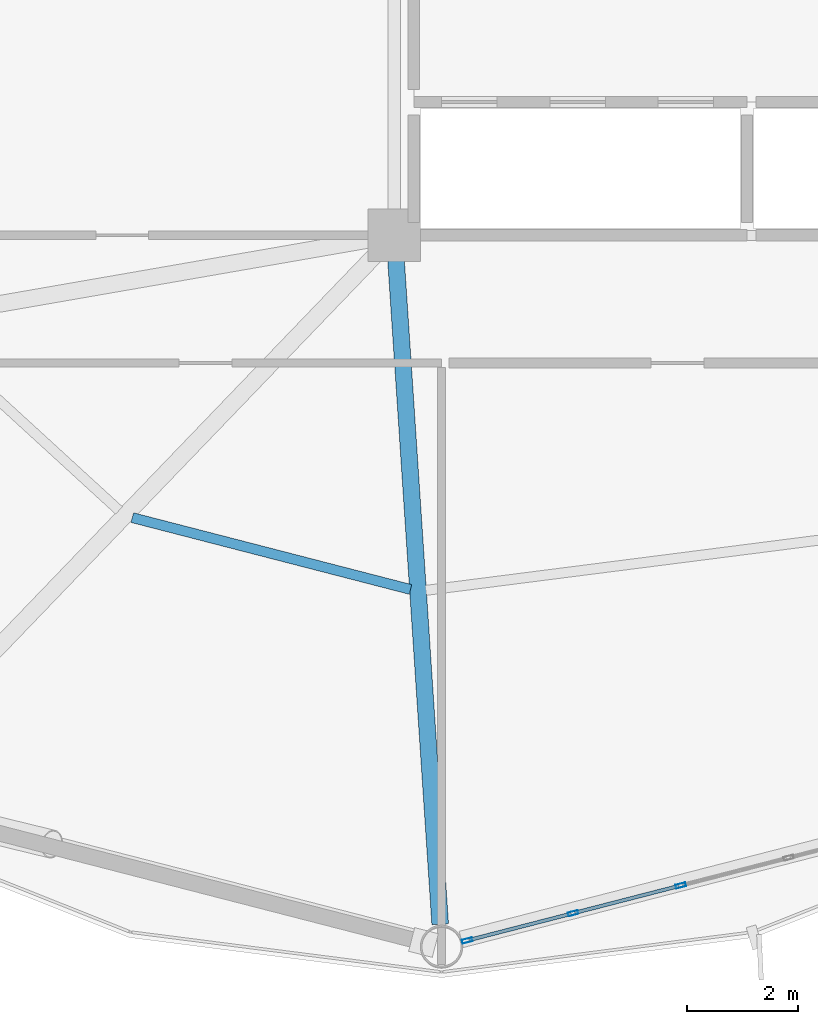
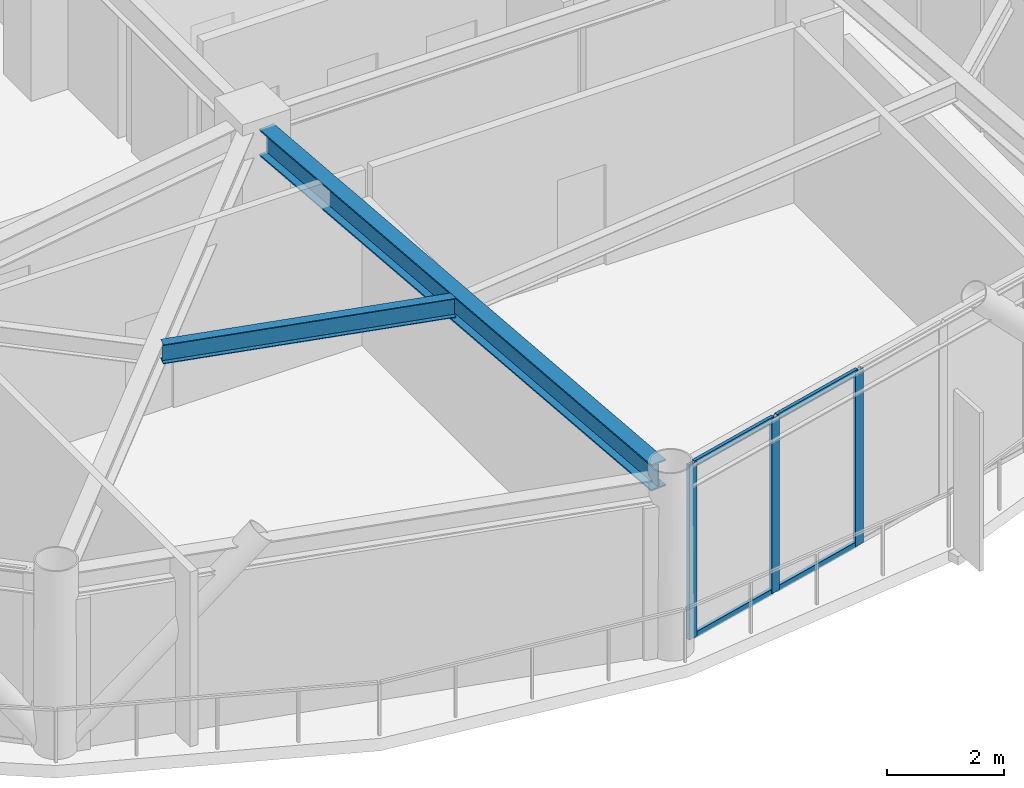
# One storey, part 6 of 25: 7 members, 2 beams, 1 element without a shape of its own.
"""IFC4 building model written with IfcOpenShell, lengths in metres."""

import ifcopenshell
import ifcopenshell.guid

model = None  # the IFC model being written
_history = None  # IfcOwnerHistory: only IFC2X3 demands one
_inside = {}  # id of a spatial element -> (the spatial element, [elements in it])
_under = {}  # id of a project, library or spatial element -> (it, [spatial elements below it])
_declared = {}  # id of a project -> (the project, [libraries it declares])
_typed = {}  # id of a type object -> (the type object, [elements of that type])
_made_of = {}  # id of a material, layer set ... -> (it, [elements and type objects made of it])


def new_model(schema):
    """Start an empty IFC model of exactly this schema.

    Asked for "IFC4X3", IfcOpenShell would pick the latest addendum, in which some entities
    have other attributes; the version numbers below select the first issue.
    IFC2X3 requires an IfcOwnerHistory on every rooted entity: one is made here for all.
    """
    global model, _history
    if schema == "IFC4X3":
        model = ifcopenshell.file(schema_version=(4, 3, 0, 0))
    else:
        model = ifcopenshell.file(schema=schema)
    _inside.clear()
    _under.clear()
    _declared.clear()
    _typed.clear()
    _made_of.clear()
    _history = None
    if model.schema == "IFC2X3":
        org = make("IfcOrganization", Name="unknown")
        user = make(
            "IfcPersonAndOrganization",
            ThePerson=make("IfcPerson", FamilyName="unknown"),
            TheOrganization=org,
        )
        app = make(
            "IfcApplication",
            ApplicationDeveloper=org,
            Version="unknown",
            ApplicationFullName="unknown",
            ApplicationIdentifier="unknown",
        )
        _history = make(
            "IfcOwnerHistory",
            OwningUser=user,
            OwningApplication=app,
            ChangeAction="ADDED",
            CreationDate=0,
        )
    return model


def make(cls, **values):
    """One entity of the class cls with the attributes given. An attribute that is None is left unset."""
    return model.create_entity(
        cls, **{name: value for name, value in values.items() if value is not None}
    )


def rooted(cls, **values):
    """An entity with a GlobalId (a new one), such as an element, a storey or a relation."""
    return make(cls, GlobalId=ifcopenshell.guid.new(), OwnerHistory=_history, **values)


def si_unit(unit_type, name, prefix=None):
    """IfcSIUnit, for example si_unit("LENGTHUNIT", "METRE", prefix="MILLI")."""
    return make("IfcSIUnit", UnitType=unit_type, Prefix=prefix, Name=name)


def assignment(units):
    """IfcUnitAssignment: the units of a project."""
    return None if units is None else make("IfcUnitAssignment", Units=units)


def point(xyz):
    """IfcCartesianPoint."""
    return None if xyz is None else make("IfcCartesianPoint", Coordinates=xyz)


def direction(xyz):
    """IfcDirection."""
    return None if xyz is None else make("IfcDirection", DirectionRatios=xyz)


def frame(location, z_axis=None, x_axis=None):
    """IfcAxis2Placement3D, a coordinate frame: its origin and axes. An axis left out is left unset."""
    return make(
        "IfcAxis2Placement3D",
        Location=point(location),
        Axis=direction(z_axis),
        RefDirection=direction(x_axis),
    )


def frame_2d(location, x_axis=None):
    """IfcAxis2Placement2D, a coordinate frame in the plane: its origin and x axis."""
    return make(
        "IfcAxis2Placement2D", Location=point(location), RefDirection=direction(x_axis)
    )


def origin():
    """The frame at (0, 0, 0) with its axes left unset."""
    return frame((0.0, 0.0, 0.0))


def origin_2d():
    """The frame at (0, 0) in the plane with its x axis left unset."""
    return frame_2d((0.0, 0.0))


def place(relative_to, where):
    """IfcLocalPlacement: puts the frame where relative to a parent placement (None: the world)."""
    return make(
        "IfcLocalPlacement", PlacementRelTo=relative_to, RelativePlacement=where
    )


def context(
    kind, dimensions, precision=None, world=None, true_north=None, identifier=None
):
    """IfcGeometricRepresentationContext, for example the 3D "Model" context."""
    return make(
        "IfcGeometricRepresentationContext",
        ContextIdentifier=identifier,
        ContextType=kind,
        CoordinateSpaceDimension=dimensions,
        Precision=precision,
        WorldCoordinateSystem=world,
        TrueNorth=true_north,
    )


def subcontext(parent, identifier, kind, view, scale=None):
    """IfcGeometricRepresentationSubContext, for example "Body" below "Model"."""
    return make(
        "IfcGeometricRepresentationSubContext",
        ContextIdentifier=identifier,
        ContextType=kind,
        ParentContext=parent,
        TargetScale=scale,
        TargetView=view,
    )


def project(units=None, contexts=None):
    """IfcProject with its units and contexts."""
    return rooted(
        "IfcProject",
        Name="project",
        RepresentationContexts=contexts,
        UnitsInContext=assignment(units),
    )


def spatial(cls, under=None, at=None, **own):
    """A site, building, storey or space (cls), placed at a placement, below another one or the project."""
    s = rooted(cls, ObjectPlacement=at, **own)
    if under is not None:
        _under.setdefault(under.id(), (under, []))[1].append(s)
    return s


def profile(cls, at=None, kind="AREA", **sizes):
    """A parametric profile (cls). Its sizes go by their IFC names, for example OverallWidth=200.0."""
    return make(cls, ProfileType=kind, Position=at, **sizes)


def hollow_rectangle(**sizes):
    """IfcRectangleHollowProfileDef."""
    return profile("IfcRectangleHollowProfileDef", **sizes)


def i_section(**sizes):
    """IfcIShapeProfileDef."""
    return profile("IfcIShapeProfileDef", **sizes)


def extrude(swept, where, along, depth):
    """IfcExtrudedAreaSolid: the profile swept, set in the frame where, extruded along a direction by depth."""
    return make(
        "IfcExtrudedAreaSolid",
        SweptArea=swept,
        Position=where,
        ExtrudedDirection=direction(along),
        Depth=depth,
    )


def shape(context_of_items, identifier, shape_type, items):
    """IfcShapeRepresentation: the items that make up one representation, for example the "Body"."""
    return make(
        "IfcShapeRepresentation",
        ContextOfItems=context_of_items,
        RepresentationIdentifier=identifier,
        RepresentationType=shape_type,
        Items=items,
    )


def material(Name=None, Category=None):
    """IfcMaterial."""
    return make("IfcMaterial", Name=Name, Category=Category)


def layer(
    of_material, thickness, ventilated=None, Name=None, Category=None, Priority=None
):
    """IfcMaterialLayer: one layer of a wall or slab, of a material (None: an air gap)."""
    return make(
        "IfcMaterialLayer",
        Material=of_material,
        LayerThickness=thickness,
        IsVentilated=ventilated,
        Name=Name,
        Category=Category,
        Priority=Priority,
    )


def layer_set(layers, Name=None):
    """IfcMaterialLayerSet."""
    return make("IfcMaterialLayerSet", MaterialLayers=layers, LayerSetName=Name)


def material_profile(
    of_material, cross_section, Name=None, Category=None, Priority=None
):
    """IfcMaterialProfile: a cross section and its material."""
    return make(
        "IfcMaterialProfile",
        Name=Name,
        Material=of_material,
        Profile=cross_section,
        Priority=Priority,
        Category=Category,
    )


def profile_set(profiles, Name=None, composite=None):
    """IfcMaterialProfileSet."""
    return make(
        "IfcMaterialProfileSet",
        Name=Name,
        MaterialProfiles=profiles,
        CompositeProfile=composite,
    )


def made_of(thing, what):
    """Note that an element or type object is made of a material, layer set ...; save() writes the relation."""
    if what is not None:
        _made_of.setdefault(what.id(), (what, []))[1].append(thing)
    return thing


def type_object(cls, material=None, **own):
    """A type object (cls), such as IfcWallType, which elements share."""
    return made_of(rooted(cls, **own), material)


def element(
    cls,
    number,
    at=None,
    inside=None,
    cuts=None,
    type_object=None,
    material=None,
    context=None,
    identifier="Body",
    shape_type=None,
    held_by="IfcProductDefinitionShape",
    body=None,
    shapes=None,
    **own,
):
    """One element of the class cls, such as IfcWall. Its Tag is "e" and its number.

    at: its placement. inside: the storey or other place that contains it. cuts: it is an
    opening in that element (IfcRelVoidsElement). A single representation is given by context,
    identifier, shape_type and body (its items); several are given by shapes. held_by: the class
    of the entity that holds the representations. save() writes the other relations.
    """
    e = rooted(cls, Tag="e%d" % number, ObjectPlacement=at, **own)
    if body is not None:
        shapes = [shape(context, identifier, shape_type, body)]
    if shapes is not None:
        e.Representation = make(held_by, Representations=shapes)
    if inside is not None:
        _inside.setdefault(inside.id(), (inside, []))[1].append(e)
    if cuts is not None:
        rooted(
            "IfcRelVoidsElement", RelatingBuildingElement=cuts, RelatedOpeningElement=e
        )
    if type_object is not None:
        _typed.setdefault(type_object.id(), (type_object, []))[1].append(e)
    return made_of(e, material)


def aggregate(whole, parts):
    """IfcRelAggregates: a whole, such as a stair, and the parts it consists of."""
    return rooted("IfcRelAggregates", RelatingObject=whole, RelatedObjects=parts)


def save(model, path):
    """Write the relations noted so far, then the file.

    IfcRelAggregates (storeys below a building ...), IfcRelContainedInSpatialStructure (elements
    in a storey), IfcRelDefinesByType, IfcRelAssociatesMaterial and IfcRelDeclares: one each for
    every whole, place, type object, material and project.
    """
    for whole, parts in _under.values():
        aggregate(whole, parts)
    for where, things in _inside.values():
        rooted(
            "IfcRelContainedInSpatialStructure",
            RelatedElements=things,
            RelatingStructure=where,
        )
    for kind, things in _typed.values():
        rooted("IfcRelDefinesByType", RelatedObjects=things, RelatingType=kind)
    for what, things in _made_of.values():
        rooted("IfcRelAssociatesMaterial", RelatedObjects=things, RelatingMaterial=what)
    for by, libraries in _declared.values():
        rooted("IfcRelDeclares", RelatingContext=by, RelatedDefinitions=libraries)
    model.write(path)


model = new_model("IFC4")

# Units and contexts
model_context = context("Model", 3, precision=1e-05, world=origin(), true_north=direction((0.0, 1.0)))
body_context = subcontext(model_context, "Body", "Model", "MODEL_VIEW")
ifc_project = project(units=[si_unit("LENGTHUNIT", "METRE"), si_unit("AREAUNIT", "SQUARE_METRE"), si_unit("VOLUMEUNIT", "CUBIC_METRE"), si_unit("PLANEANGLEUNIT", "RADIAN"), si_unit("MASSUNIT", "GRAM", prefix="KILO")], contexts=[model_context])

# Site, building, storey
site_placement = place(None, origin())
site = spatial("IfcSite", under=ifc_project, at=site_placement, CompositionType="ELEMENT")
building_placement = place(site_placement, origin())
building = spatial("IfcBuilding", under=site, at=building_placement, Name="Varnakorn Sky Granary", CompositionType="ELEMENT")
storey_placement = place(building_placement, frame((0.0, 0.0, 122.699951171875)))
storey = spatial("IfcBuildingStorey", under=building, at=storey_placement, Name="L30", CompositionType="ELEMENT", Elevation=122.699951171875)

# Beams
ifc_material_1 = material(Name="Steel S355JR", Category="steel")
ifc_material_profile_1 = material_profile(ifc_material_1, i_section(OverallWidth=0.300048828125, OverallDepth=0.550048828125, WebThickness=0.014892578125, FlangeThickness=0.029052734375, at=origin_2d()), Name="HE 550 B")
ifc_profile_set_1 = profile_set([ifc_material_profile_1], Name="Steel S355JR")
beam_type_1 = type_object("IfcBeamType", Name="BM-RAD-Z3", PredefinedType="BEAM", material=ifc_profile_set_1)
beam_1_placement = place(storey_placement, frame((-2.322021484375, -7.01904296875, 3.364990234375), z_axis=(0.06637741635, -0.997794587377, 0.0), x_axis=(0.997794587377, 0.06637741635, 0.0)))
element("IfcBeam", 1, at=beam_1_placement, inside=storey, type_object=beam_type_1, Name="Radial Floor Girder RG10 L30", PredefinedType="BEAM", context=body_context, shape_type="SweptSolid", body=[
    extrude(i_section(OverallWidth=0.300048828125, OverallDepth=0.550048828125, WebThickness=0.014892578125, FlangeThickness=0.029052734375, at=origin_2d()), origin(), (0.0, 0.0, 1.0), 12.016357421875),
])
ifc_material_profile_2 = material_profile(ifc_material_1, i_section(OverallWidth=0.179931640625, OverallDepth=0.39990234375, WebThickness=0.008544921875, FlangeThickness=0.013427734375, at=origin_2d()), Name="IPE 400")
ifc_profile_set_2 = profile_set([ifc_material_profile_2], Name="Steel S355JR")
beam_type_2 = type_object("IfcBeamType", Name="BM-SEC-Z3", PredefinedType="BEAM", material=ifc_profile_set_2)
beam_2_placement = place(storey_placement, frame((-7.070068359375, -11.685302734375, 3.43994140625), z_axis=(0.968254861269, -0.249965044815, 0.0), x_axis=(0.249965044815, 0.968254861269, 0.0)))
element("IfcBeam", 2, at=beam_2_placement, inside=storey, type_object=beam_type_2, Name="Secondary Floor Chord Beam MSB09 L30", PredefinedType="BEAM", context=body_context, shape_type="SweptSolid", body=[
    extrude(i_section(OverallWidth=0.179931640625, OverallDepth=0.39990234375, WebThickness=0.008544921875, FlangeThickness=0.013427734375, at=origin_2d()), origin(), (0.0, 0.0, 1.0), 5.175537109375),
])

# Curtain wall, members
ifc_material_2 = material(Name="Anodised Bronze Aluminium Alloy 6063-T6", Category="aluminium")
ifc_layer = layer(ifc_material_2, 0.179931640625, Name="Anodised Bronze Aluminium Alloy 6063-T6")
ifc_layer_set = layer_set([ifc_layer], Name="Anodised Bronze Aluminium Alloy 6063-T6")
curtain_wall_type = type_object("IfcCurtainWallType", Name="CW-FRM-2", PredefinedType="USERDEFINED", material=ifc_layer_set)
curtain_wall_placement = place(storey_placement, origin())
curtain_wall = element("IfcCurtainWall", 3, at=curtain_wall_placement, inside=storey, type_object=curtain_wall_type, Name="Unitised Curtain Wall CW4 CW-L30-B10", ObjectType="CURTAIN WALL", PredefinedType="USERDEFINED")
ifc_material_profile_3 = material_profile(ifc_material_2, hollow_rectangle(XDim=0.070068359375, YDim=0.18505859375, WallThickness=0.00390625, at=origin_2d()), Name="ALU MULL 70x185")
ifc_profile_set_3 = profile_set([ifc_material_profile_3], Name="Anodised Bronze Aluminium Alloy 6063-T6")
member_type_1 = type_object("IfcMemberType", Name="CW-FRM-2-MULL", PredefinedType="MULLION", material=ifc_profile_set_3)
member_1_placement = place(storey_placement, frame((2.808349609375, -18.3115234375, 0.0), z_axis=(0.0, 0.0, 1.0), x_axis=(0.249384178066, -0.968404632233, 0.0)))
member_1 = element("IfcMember", 4, at=member_1_placement, type_object=member_type_1, Name="CW4 mullion 4", PredefinedType="MULLION", context=body_context, shape_type="SweptSolid", body=[
    extrude(hollow_rectangle(XDim=0.070068359375, YDim=0.18505859375, WallThickness=0.00390625, at=origin_2d()), origin(), (0.0, 0.0, 1.0), 3.64013671875),
])
member_2_placement = place(storey_placement, frame((0.86767578125, -18.811279296875, 0.0), z_axis=(0.0, 0.0, 1.0), x_axis=(0.249384178066, -0.968404632233, 0.0)))
member_2 = element("IfcMember", 5, at=member_2_placement, type_object=member_type_1, Name="CW4 mullion 5", PredefinedType="MULLION", context=body_context, shape_type="SweptSolid", body=[
    extrude(hollow_rectangle(XDim=0.070068359375, YDim=0.18505859375, WallThickness=0.00390625, at=origin_2d()), origin(), (0.0, 0.0, 1.0), 3.64013671875),
])
member_3_placement = place(storey_placement, frame((-1.0390625, -19.30224609375, 0.0), z_axis=(0.0, 0.0, 1.0), x_axis=(0.249384178066, -0.968404632233, 0.0)))
member_3 = element("IfcMember", 6, at=member_3_placement, type_object=member_type_1, Name="CW4 mullion 6", PredefinedType="MULLION", context=body_context, shape_type="SweptSolid", body=[
    extrude(hollow_rectangle(XDim=0.070068359375, YDim=0.18505859375, WallThickness=0.00390625, at=origin_2d()), origin(), (0.0, 0.0, 1.0), 3.64013671875),
])
ifc_material_profile_4 = material_profile(ifc_material_2, hollow_rectangle(XDim=0.06494140625, YDim=0.1201171875, WallThickness=0.00341796875, at=origin_2d()), Name="ALU TRAN 65x120")
ifc_profile_set_4 = profile_set([ifc_material_profile_4], Name="Anodised Bronze Aluminium Alloy 6063-T6")
member_type_2 = type_object("IfcMemberType", Name="CW-FRM-2-TRAN", PredefinedType="USERDEFINED", material=ifc_profile_set_4)
member_4_placement = place(storey_placement, frame((2.7744140625, -18.3203125, 0.032470703125), z_axis=(-0.968418070444, -0.249331989197, 0.0), x_axis=(0.249331989197, -0.968418070444, 0.0)))
member_4 = element("IfcMember", 7, at=member_4_placement, type_object=member_type_2, Name="CW4 transom 4.1", ObjectType="TRANSOM", PredefinedType="USERDEFINED", context=body_context, shape_type="SweptSolid", body=[
    extrude(hollow_rectangle(XDim=0.06494140625, YDim=0.1201171875, WallThickness=0.00341796875, at=origin_2d()), origin(), (0.0, 0.0, 1.0), 1.933837890625),
])
member_5_placement = place(storey_placement, frame((2.7744140625, -18.3203125, 3.607666015625), z_axis=(-0.968418070444, -0.249331989197, 0.0), x_axis=(0.249331989197, -0.968418070444, 0.0)))
member_5 = element("IfcMember", 8, at=member_5_placement, type_object=member_type_2, Name="CW4 transom 4.2", ObjectType="TRANSOM", PredefinedType="USERDEFINED", context=body_context, shape_type="SweptSolid", body=[
    extrude(hollow_rectangle(XDim=0.06494140625, YDim=0.1201171875, WallThickness=0.00341796875, at=origin_2d()), origin(), (0.0, 0.0, 1.0), 1.933837890625),
])
member_6_placement = place(storey_placement, frame((0.833984375, -18.820068359375, 0.032470703125), z_axis=(-0.968432660828, -0.249275312538, 0.0), x_axis=(0.249275312538, -0.968432660828, 0.0)))
member_6 = element("IfcMember", 9, at=member_6_placement, type_object=member_type_2, Name="CW4 transom 5.1", ObjectType="TRANSOM", PredefinedType="USERDEFINED", context=body_context, shape_type="SweptSolid", body=[
    extrude(hollow_rectangle(XDim=0.06494140625, YDim=0.1201171875, WallThickness=0.00341796875, at=origin_2d()), origin(), (0.0, 0.0, 1.0), 1.899169921875),
])
member_7_placement = place(storey_placement, frame((0.833984375, -18.820068359375, 3.607666015625), z_axis=(-0.968432660828, -0.249275312538, 0.0), x_axis=(0.249275312538, -0.968432660828, 0.0)))
member_7 = element("IfcMember", 10, at=member_7_placement, type_object=member_type_2, Name="CW4 transom 5.2", ObjectType="TRANSOM", PredefinedType="USERDEFINED", context=body_context, shape_type="SweptSolid", body=[
    extrude(hollow_rectangle(XDim=0.06494140625, YDim=0.1201171875, WallThickness=0.00341796875, at=origin_2d()), origin(), (0.0, 0.0, 1.0), 1.899169921875),
])
aggregate(curtain_wall, [member_1, member_2, member_3, member_4, member_5, member_6, member_7])

save(model, "model.ifc")
